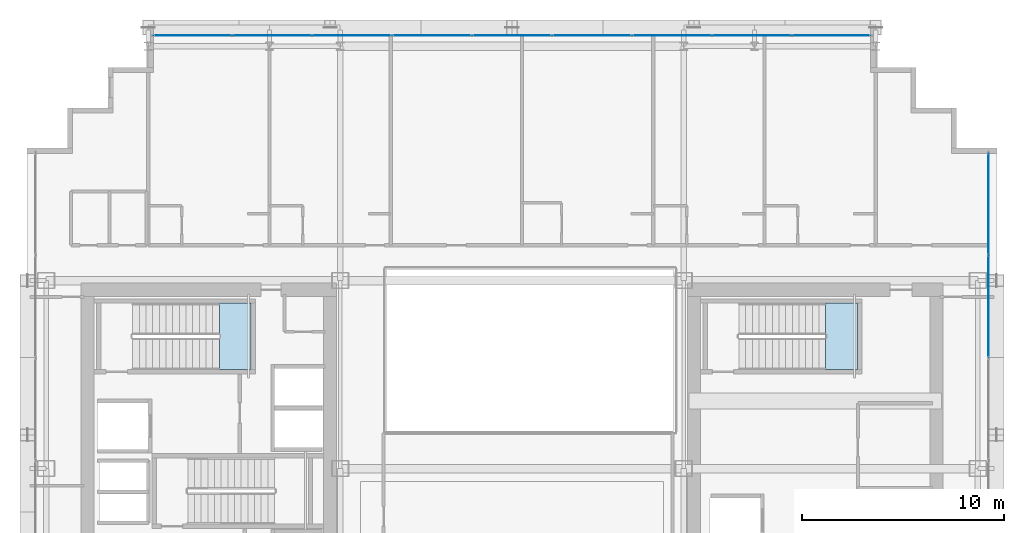
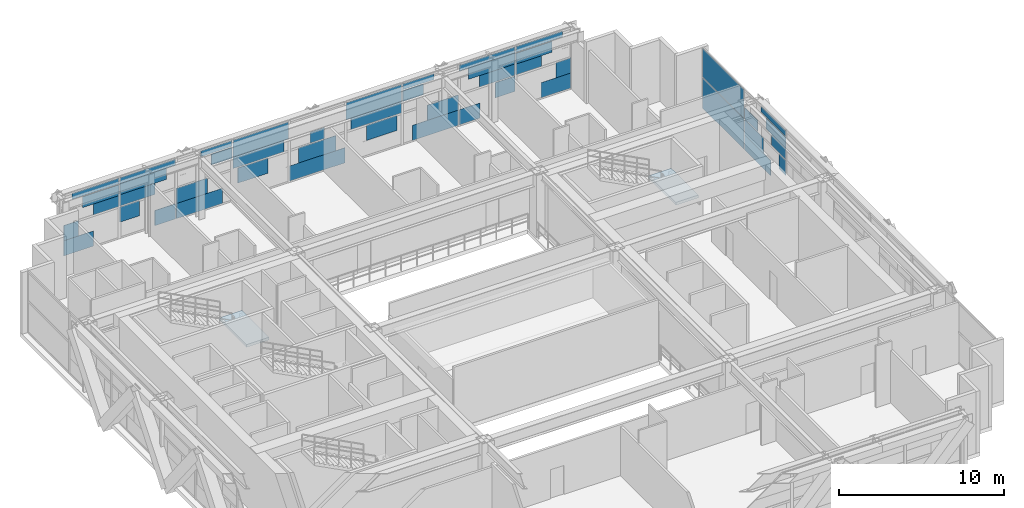
# One storey, part 27 of 38: 46 plates, 2 slabs, 4 elements without a shape of their own.
"""IFC4 building model written with IfcOpenShell, lengths in metres."""

from ifc_helpers import new_model, si_unit, direction, frame, origin, origin_2d, place, context, subcontext, project, spatial, polyline, rectangle, outline, extrude, source, transform, mapped, material, layer, layer_set, type_object, element, aggregate, save


model = new_model("IFC4")

# Units and contexts
model_context = context("Model", 3, precision=1e-05, world=origin(), true_north=direction((0.0, 1.0)))
body_context = subcontext(model_context, "Body", "Model", "MODEL_VIEW")
ifc_project = project(units=[si_unit("LENGTHUNIT", "METRE"), si_unit("AREAUNIT", "SQUARE_METRE"), si_unit("VOLUMEUNIT", "CUBIC_METRE"), si_unit("PLANEANGLEUNIT", "RADIAN"), si_unit("MASSUNIT", "GRAM", prefix="KILO")], contexts=[model_context])

# Site, building, storey
site_placement = place(None, origin())
site = spatial("IfcSite", under=ifc_project, at=site_placement, CompositionType="ELEMENT")
building_placement = place(site_placement, origin())
building = spatial("IfcBuilding", under=site, at=building_placement, Name="Ocotamira Hotel", CompositionType="ELEMENT")
storey_placement = place(building_placement, frame((0.0, 0.0, 92.39990234375)))
storey = spatial("IfcBuildingStorey", under=building, at=storey_placement, Name="L22", CompositionType="ELEMENT", Elevation=92.39990234375)

# Stair, slab
ifc_material_1 = material(Name="Concrete C40/50", Category="concrete")
stair_type = type_object("IfcStairType", Name="ST-CORE-1560", PredefinedType="HALF_TURN_STAIR", material=ifc_material_1)
stair_1_placement = place(storey_placement, origin())
stair_1 = element("IfcStair", 1, at=stair_1_placement, inside=storey, type_object=stair_type, Name="L22 Exit Stair ST-2", PredefinedType="HALF_TURN_STAIR")
ifc_layer_1 = layer(ifc_material_1, 0.199951171875)
ifc_layer_set_1 = layer_set([ifc_layer_1], Name="Concrete C40/50")
slab_type = type_object("IfcSlabType", Name="SLB-LAND-200", PredefinedType="LANDING", material=ifc_layer_set_1)
slab_1_placement = place(storey_placement, frame((0.0, 0.0, 2.2001953125)))
slab_1 = element("IfcSlab", 2, at=slab_1_placement, type_object=slab_type, Name="ST-2 landing 1", PredefinedType="LANDING", context=body_context, shape_type="SweptSolid", body=[
    extrude(outline(polyline([(17.52001953125, 33.050048828125), (19.090087890625, 33.050048828125), (19.090087890625, 36.330078125), (17.52001953125, 36.330078125), (17.52001953125, 33.050048828125)])), origin(), (0.0, 0.0, 1.0), 0.199951171875),
])
aggregate(stair_1, [slab_1])

stair_2_placement = place(storey_placement, origin())
stair_2 = element("IfcStair", 3, at=stair_2_placement, inside=storey, type_object=stair_type, Name="L22 Exit Stair ST-4", PredefinedType="HALF_TURN_STAIR")
slab_2_placement = place(storey_placement, frame((0.0, 0.0, 2.2001953125)))
slab_2 = element("IfcSlab", 4, at=slab_2_placement, type_object=slab_type, Name="ST-4 landing 1", PredefinedType="LANDING", context=body_context, shape_type="SweptSolid", body=[
    extrude(outline(polyline([(47.52001953125, 33.050048828125), (49.090087890625, 33.050048828125), (49.090087890625, 36.330078125), (47.52001953125, 36.330078125), (47.52001953125, 33.050048828125)])), origin(), (0.0, 0.0, 1.0), 0.199951171875),
])
aggregate(stair_2, [slab_2])

# Curtain wall, plate
ifc_material_2 = material(Name="Anodised pale-metal aluminium and solar glass", Category="aluminium")
ifc_layer_2 = layer(ifc_material_2, 0.239990234375)
ifc_layer_set_2 = layer_set([ifc_layer_2], Name="Anodised pale-metal aluminium and solar glass")
curtain_wall_type = type_object("IfcCurtainWallType", Name="CW-SYS5-SKY", PredefinedType="NOTDEFINED", material=ifc_layer_set_2)
curtain_wall_1_placement = place(storey_placement, origin())
curtain_wall_1 = element("IfcCurtainWall", 5, at=curtain_wall_1_placement, inside=storey, type_object=curtain_wall_type, Name="L22 Curtain Wall CW-5 CW-L22-E", PredefinedType="NOTDEFINED")
ifc_material_3 = material(Name="Double-silver low-E insulated solar glass", Category="glass")
ifc_layer_3 = layer(ifc_material_3, 0.031982421875)
ifc_layer_set_3 = layer_set([ifc_layer_3], Name="Double-silver low-E insulated solar glass")
plate_type = type_object("IfcPlateType", Name="CWP-VISION-32", PredefinedType="CURTAIN_PANEL", material=ifc_layer_set_3)
shared_shape_1 = source(origin(), body_context, "Body", "SweptSolid", [
    extrude(rectangle(XDim=4.9658203125, YDim=0.031982421875, at=origin_2d()), origin(), (0.0, 0.0, 1.0), 2.237548828125),
])
plate_1_placement = place(storey_placement, frame((55.580078125, 41.237060546875, 0.0751953125), z_axis=(0.0, 0.0, 1.0), x_axis=(0.0, 1.0, 0.0)))
plate_1 = element("IfcPlate", 6, at=plate_1_placement, type_object=plate_type, Name="CW-5 panel 7.1", PredefinedType="CURTAIN_PANEL", context=body_context, shape_type="MappedRepresentation", body=[
    mapped(shared_shape_1, transform((0.0, 0.0, 0.0), scale=1.0)),
])

# Curtain wall, plates
curtain_wall_2_placement = place(storey_placement, origin())
curtain_wall_2 = element("IfcCurtainWall", 7, at=curtain_wall_2_placement, inside=storey, type_object=curtain_wall_type, Name="L22 Curtain Wall CW-5 CW-L22-N", PredefinedType="NOTDEFINED")
shared_shape_2 = source(origin(), body_context, "Body", "SweptSolid", [
    extrude(rectangle(XDim=2.0712890625, YDim=0.031982421875, at=origin_2d()), origin(), (0.0, 0.0, 1.0), 1.118896484375),
])
plate_2_placement = place(storey_placement, frame((15.315673828125, 49.580078125, 0.0751953125), z_axis=(0.0, 0.0, 1.0), x_axis=(1.0, 0.0, 0.0)))
plate_2 = element("IfcPlate", 8, at=plate_2_placement, type_object=plate_type, Name="CW-5 panel 1.1.1", PredefinedType="CURTAIN_PANEL", context=body_context, shape_type="MappedRepresentation", body=[
    mapped(shared_shape_2, transform((0.0, 0.0, 0.0), scale=1.0)),
])
plate_3_placement = place(storey_placement, frame((48.684326171875, 49.580078125, 0.0751953125), z_axis=(0.0, 0.0, 1.0), x_axis=(1.0, 0.0, 0.0)))
plate_3 = element("IfcPlate", 9, at=plate_3_placement, type_object=plate_type, Name="CW-5 panel 9.1.1", PredefinedType="CURTAIN_PANEL", context=body_context, shape_type="MappedRepresentation", body=[
    mapped(shared_shape_2, transform((0.0, 0.0, 0.0), scale=1.0)),
])
shared_shape_3 = source(origin(), body_context, "Body", "SweptSolid", [
    extrude(rectangle(XDim=1.031005859375, YDim=0.031982421875, at=origin_2d()), origin(), (0.0, 0.0, 1.0), 1.118896484375),
])
plate_4_placement = place(storey_placement, frame((14.79541015625, 49.580078125, 1.19384765625), z_axis=(0.0, 0.0, 1.0), x_axis=(1.0, 0.0, 0.0)))
plate_4 = element("IfcPlate", 10, at=plate_4_placement, type_object=plate_type, Name="CW-5 panel 1.1.2", PredefinedType="CURTAIN_PANEL", context=body_context, shape_type="MappedRepresentation", body=[
    mapped(shared_shape_3, transform((0.0, 0.0, 0.0), scale=1.0)),
])
plate_5_placement = place(storey_placement, frame((49.20458984375, 49.580078125, 1.19384765625), z_axis=(0.0, 0.0, 1.0), x_axis=(1.0, 0.0, 0.0)))
plate_5 = element("IfcPlate", 11, at=plate_5_placement, type_object=plate_type, Name="CW-5 panel 9.1.2", PredefinedType="CURTAIN_PANEL", context=body_context, shape_type="MappedRepresentation", body=[
    mapped(shared_shape_3, transform((0.0, 0.0, 0.0), scale=1.0)),
])
shared_shape_4 = source(origin(), body_context, "Body", "SweptSolid", [
    extrude(rectangle(XDim=3.256591796875, YDim=0.031982421875, at=origin_2d()), origin(), (0.0, 0.0, 1.0), 0.42919921875),
])
plate_6_placement = place(storey_placement, frame((16.4873046875, 49.580078125, 4.055908203125), z_axis=(0.0, 0.0, 1.0), x_axis=(1.0, 0.0, 0.0)))
plate_6 = element("IfcPlate", 12, at=plate_6_placement, type_object=plate_type, Name="CW-5 panel 1.2.1", PredefinedType="CURTAIN_PANEL", context=body_context, shape_type="MappedRepresentation", body=[
    mapped(shared_shape_4, transform((0.0, 0.0, 0.0), scale=1.0)),
])
plate_7_placement = place(storey_placement, frame((47.5126953125, 49.580078125, 4.055908203125), z_axis=(0.0, 0.0, 1.0), x_axis=(1.0, 0.0, 0.0)))
plate_7 = element("IfcPlate", 13, at=plate_7_placement, type_object=plate_type, Name="CW-5 panel 9.2.3", PredefinedType="CURTAIN_PANEL", context=body_context, shape_type="MappedRepresentation", body=[
    mapped(shared_shape_4, transform((0.0, 0.0, 0.0), scale=1.0)),
])
shared_shape_5 = source(origin(), body_context, "Body", "SweptSolid", [
    extrude(rectangle(XDim=2.523193359375, YDim=0.031982421875, at=origin_2d()), origin(), (0.0, 0.0, 1.0), 0.79736328125),
])
plate_8_placement = place(storey_placement, frame((16.85400390625, 49.580078125, 3.184814453125), z_axis=(0.0, 0.0, 1.0), x_axis=(1.0, 0.0, 0.0)))
plate_8 = element("IfcPlate", 14, at=plate_8_placement, type_object=plate_type, Name="CW-5 panel 1.2.2", PredefinedType="CURTAIN_PANEL", context=body_context, shape_type="MappedRepresentation", body=[
    mapped(shared_shape_5, transform((0.0, 0.0, 0.0), scale=1.0)),
])
plate_9_placement = place(storey_placement, frame((47.14599609375, 49.580078125, 3.184814453125), z_axis=(0.0, 0.0, 1.0), x_axis=(1.0, 0.0, 0.0)))
plate_9 = element("IfcPlate", 15, at=plate_9_placement, type_object=plate_type, Name="CW-5 panel 9.2.2", PredefinedType="CURTAIN_PANEL", context=body_context, shape_type="MappedRepresentation", body=[
    mapped(shared_shape_5, transform((0.0, 0.0, 0.0), scale=1.0)),
])
shared_shape_6 = source(origin(), body_context, "Body", "SweptSolid", [
    extrude(rectangle(XDim=1.781982421875, YDim=0.031982421875, at=origin_2d()), origin(), (0.0, 0.0, 1.0), 0.79736328125),
])
plate_10_placement = place(storey_placement, frame((17.224609375, 49.580078125, 2.387451171875), z_axis=(0.0, 0.0, 1.0), x_axis=(1.0, 0.0, 0.0)))
plate_10 = element("IfcPlate", 16, at=plate_10_placement, type_object=plate_type, Name="CW-5 panel 1.2.3", PredefinedType="CURTAIN_PANEL", context=body_context, shape_type="MappedRepresentation", body=[
    mapped(shared_shape_6, transform((0.0, 0.0, 0.0), scale=1.0)),
])
plate_11_placement = place(storey_placement, frame((46.775390625, 49.580078125, 2.387451171875), z_axis=(0.0, 0.0, 1.0), x_axis=(1.0, 0.0, 0.0)))
plate_11 = element("IfcPlate", 17, at=plate_11_placement, type_object=plate_type, Name="CW-5 panel 9.2.1", PredefinedType="CURTAIN_PANEL", context=body_context, shape_type="MappedRepresentation", body=[
    mapped(shared_shape_6, transform((0.0, 0.0, 0.0), scale=1.0)),
])
shared_shape_7 = source(origin(), body_context, "Body", "SweptSolid", [
    extrude(rectangle(XDim=1.36083984375, YDim=0.031982421875, at=origin_2d()), origin(), (0.0, 0.0, 1.0), 1.118896484375),
])
plate_12_placement = place(storey_placement, frame((18.8759765625, 49.580078125, 1.19384765625), z_axis=(0.0, 0.0, 1.0), x_axis=(1.0, 0.0, 0.0)))
plate_12 = element("IfcPlate", 18, at=plate_12_placement, type_object=plate_type, Name="CW-5 panel 2.1.1", PredefinedType="CURTAIN_PANEL", context=body_context, shape_type="MappedRepresentation", body=[
    mapped(shared_shape_7, transform((0.0, 0.0, 0.0), scale=1.0)),
])
plate_13_placement = place(storey_placement, frame((45.1240234375, 49.580078125, 1.19384765625), z_axis=(0.0, 0.0, 1.0), x_axis=(1.0, 0.0, 0.0)))
plate_13 = element("IfcPlate", 19, at=plate_13_placement, type_object=plate_type, Name="CW-5 panel 8.1.2", PredefinedType="CURTAIN_PANEL", context=body_context, shape_type="MappedRepresentation", body=[
    mapped(shared_shape_7, transform((0.0, 0.0, 0.0), scale=1.0)),
])
shared_shape_8 = source(origin(), body_context, "Body", "SweptSolid", [
    extrude(rectangle(XDim=1.42236328125, YDim=0.031982421875, at=origin_2d()), origin(), (0.0, 0.0, 1.0), 1.118896484375),
])
plate_14_placement = place(storey_placement, frame((21.360107421875, 49.580078125, 0.0751953125), z_axis=(0.0, 0.0, 1.0), x_axis=(1.0, 0.0, 0.0)))
plate_14 = element("IfcPlate", 20, at=plate_14_placement, type_object=plate_type, Name="CW-5 panel 2.1.2", PredefinedType="CURTAIN_PANEL", context=body_context, shape_type="MappedRepresentation", body=[
    mapped(shared_shape_8, transform((0.0, 0.0, 0.0), scale=1.0)),
])
plate_15_placement = place(storey_placement, frame((42.639892578125, 49.580078125, 0.0751953125), z_axis=(0.0, 0.0, 1.0), x_axis=(1.0, 0.0, 0.0)))
plate_15 = element("IfcPlate", 21, at=plate_15_placement, type_object=plate_type, Name="CW-5 panel 8.1.1", PredefinedType="CURTAIN_PANEL", context=body_context, shape_type="MappedRepresentation", body=[
    mapped(shared_shape_8, transform((0.0, 0.0, 0.0), scale=1.0)),
])
shared_shape_9 = source(origin(), body_context, "Body", "SweptSolid", [
    extrude(rectangle(XDim=2.470703125, YDim=0.031982421875, at=origin_2d()), origin(), (0.0, 0.0, 1.0), 0.834228515625),
])
plate_16_placement = place(storey_placement, frame((19.430908203125, 49.580078125, 2.3876953125), z_axis=(0.0, 0.0, 1.0), x_axis=(1.0, 0.0, 0.0)))
plate_16 = element("IfcPlate", 22, at=plate_16_placement, type_object=plate_type, Name="CW-5 panel 2.2.1", PredefinedType="CURTAIN_PANEL", context=body_context, shape_type="MappedRepresentation", body=[
    mapped(shared_shape_9, transform((0.0, 0.0, 0.0), scale=1.0)),
])
plate_17_placement = place(storey_placement, frame((44.569091796875, 49.580078125, 2.3876953125), z_axis=(0.0, 0.0, 1.0), x_axis=(1.0, 0.0, 0.0)))
plate_17 = element("IfcPlate", 23, at=plate_17_placement, type_object=plate_type, Name="CW-5 panel 8.2.3", PredefinedType="CURTAIN_PANEL", context=body_context, shape_type="MappedRepresentation", body=[
    mapped(shared_shape_9, transform((0.0, 0.0, 0.0), scale=1.0)),
])
shared_shape_10 = source(origin(), body_context, "Body", "SweptSolid", [
    extrude(rectangle(XDim=3.246337890625, YDim=0.031982421875, at=origin_2d()), origin(), (0.0, 0.0, 1.0), 0.834228515625),
])
plate_18_placement = place(storey_placement, frame((19.81884765625, 49.580078125, 3.2216796875), z_axis=(0.0, 0.0, 1.0), x_axis=(1.0, 0.0, 0.0)))
plate_18 = element("IfcPlate", 24, at=plate_18_placement, type_object=plate_type, Name="CW-5 panel 2.2.2", PredefinedType="CURTAIN_PANEL", context=body_context, shape_type="MappedRepresentation", body=[
    mapped(shared_shape_10, transform((0.0, 0.0, 0.0), scale=1.0)),
])
plate_19_placement = place(storey_placement, frame((44.18115234375, 49.580078125, 3.2216796875), z_axis=(0.0, 0.0, 1.0), x_axis=(1.0, 0.0, 0.0)))
plate_19 = element("IfcPlate", 25, at=plate_19_placement, type_object=plate_type, Name="CW-5 panel 8.2.2", PredefinedType="CURTAIN_PANEL", context=body_context, shape_type="MappedRepresentation", body=[
    mapped(shared_shape_10, transform((0.0, 0.0, 0.0), scale=1.0)),
])
shared_shape_11 = source(origin(), body_context, "Body", "SweptSolid", [
    extrude(rectangle(XDim=3.87548828125, YDim=0.031982421875, at=origin_2d()), origin(), (0.0, 0.0, 1.0), 0.42919921875),
])
plate_20_placement = place(storey_placement, frame((20.13330078125, 49.580078125, 4.055908203125), z_axis=(0.0, 0.0, 1.0), x_axis=(1.0, 0.0, 0.0)))
plate_20 = element("IfcPlate", 26, at=plate_20_placement, type_object=plate_type, Name="CW-5 panel 2.2.3", PredefinedType="CURTAIN_PANEL", context=body_context, shape_type="MappedRepresentation", body=[
    mapped(shared_shape_11, transform((0.0, 0.0, 0.0), scale=1.0)),
])
plate_21_placement = place(storey_placement, frame((43.86669921875, 49.580078125, 4.055908203125), z_axis=(0.0, 0.0, 1.0), x_axis=(1.0, 0.0, 0.0)))
plate_21 = element("IfcPlate", 27, at=plate_21_placement, type_object=plate_type, Name="CW-5 panel 8.2.1", PredefinedType="CURTAIN_PANEL", context=body_context, shape_type="MappedRepresentation", body=[
    mapped(shared_shape_11, transform((0.0, 0.0, 0.0), scale=1.0)),
])
shared_shape_12 = source(origin(), body_context, "Body", "SweptSolid", [
    extrude(rectangle(XDim=3.2001953125, YDim=0.031982421875, at=origin_2d()), origin(), (0.0, 0.0, 1.0), 1.118896484375),
])
plate_22_placement = place(storey_placement, frame((23.751220703125, 49.580078125, 0.0751953125), z_axis=(0.0, 0.0, 1.0), x_axis=(1.0, 0.0, 0.0)))
plate_22 = element("IfcPlate", 28, at=plate_22_placement, type_object=plate_type, Name="CW-5 panel 3.1.1", PredefinedType="CURTAIN_PANEL", context=body_context, shape_type="MappedRepresentation", body=[
    mapped(shared_shape_12, transform((0.0, 0.0, 0.0), scale=1.0)),
])
plate_23_placement = place(storey_placement, frame((40.248779296875, 49.580078125, 0.0751953125), z_axis=(0.0, 0.0, 1.0), x_axis=(1.0, 0.0, 0.0)))
plate_23 = element("IfcPlate", 29, at=plate_23_placement, type_object=plate_type, Name="CW-5 panel 7.1.1", PredefinedType="CURTAIN_PANEL", context=body_context, shape_type="MappedRepresentation", body=[
    mapped(shared_shape_12, transform((0.0, 0.0, 0.0), scale=1.0)),
])
shared_shape_13 = source(origin(), body_context, "Body", "SweptSolid", [
    extrude(rectangle(XDim=2.159912109375, YDim=0.031982421875, at=origin_2d()), origin(), (0.0, 0.0, 1.0), 1.118896484375),
])
plate_24_placement = place(storey_placement, frame((23.231201171875, 49.580078125, 1.19384765625), z_axis=(0.0, 0.0, 1.0), x_axis=(1.0, 0.0, 0.0)))
plate_24 = element("IfcPlate", 30, at=plate_24_placement, type_object=plate_type, Name="CW-5 panel 3.1.2", PredefinedType="CURTAIN_PANEL", context=body_context, shape_type="MappedRepresentation", body=[
    mapped(shared_shape_13, transform((0.0, 0.0, 0.0), scale=1.0)),
])
plate_25_placement = place(storey_placement, frame((40.768798828125, 49.580078125, 1.19384765625), z_axis=(0.0, 0.0, 1.0), x_axis=(1.0, 0.0, 0.0)))
plate_25 = element("IfcPlate", 31, at=plate_25_placement, type_object=plate_type, Name="CW-5 panel 7.1.2", PredefinedType="CURTAIN_PANEL", context=body_context, shape_type="MappedRepresentation", body=[
    mapped(shared_shape_13, transform((0.0, 0.0, 0.0), scale=1.0)),
])
shared_shape_14 = source(origin(), body_context, "Body", "SweptSolid", [
    extrude(rectangle(XDim=2.16748046875, YDim=0.031982421875, at=origin_2d()), origin(), (0.0, 0.0, 1.0), 0.42919921875),
])
plate_26_placement = place(storey_placement, frame((24.94287109375, 49.580078125, 4.055908203125), z_axis=(0.0, 0.0, 1.0), x_axis=(1.0, 0.0, 0.0)))
plate_26 = element("IfcPlate", 32, at=plate_26_placement, type_object=plate_type, Name="CW-5 panel 3.2.1", PredefinedType="CURTAIN_PANEL", context=body_context, shape_type="MappedRepresentation", body=[
    mapped(shared_shape_14, transform((0.0, 0.0, 0.0), scale=1.0)),
])
plate_27_placement = place(storey_placement, frame((39.05712890625, 49.580078125, 4.055908203125), z_axis=(0.0, 0.0, 1.0), x_axis=(1.0, 0.0, 0.0)))
plate_27 = element("IfcPlate", 33, at=plate_27_placement, type_object=plate_type, Name="CW-5 panel 7.2.2", PredefinedType="CURTAIN_PANEL", context=body_context, shape_type="MappedRepresentation", body=[
    mapped(shared_shape_14, transform((0.0, 0.0, 0.0), scale=1.0)),
])
shared_shape_15 = source(origin(), body_context, "Body", "SweptSolid", [
    extrude(rectangle(XDim=1.434326171875, YDim=0.031982421875, at=origin_2d()), origin(), (0.0, 0.0, 1.0), 0.79736328125),
])
plate_28_placement = place(storey_placement, frame((25.3095703125, 49.580078125, 3.184814453125), z_axis=(0.0, 0.0, 1.0), x_axis=(1.0, 0.0, 0.0)))
plate_28 = element("IfcPlate", 34, at=plate_28_placement, type_object=plate_type, Name="CW-5 panel 3.2.2", PredefinedType="CURTAIN_PANEL", context=body_context, shape_type="MappedRepresentation", body=[
    mapped(shared_shape_15, transform((0.0, 0.0, 0.0), scale=1.0)),
])
plate_29_placement = place(storey_placement, frame((38.6904296875, 49.580078125, 3.184814453125), z_axis=(0.0, 0.0, 1.0), x_axis=(1.0, 0.0, 0.0)))
plate_29 = element("IfcPlate", 35, at=plate_29_placement, type_object=plate_type, Name="CW-5 panel 7.2.1", PredefinedType="CURTAIN_PANEL", context=body_context, shape_type="MappedRepresentation", body=[
    mapped(shared_shape_15, transform((0.0, 0.0, 0.0), scale=1.0)),
])
shared_shape_16 = source(origin(), body_context, "Body", "SweptSolid", [
    extrude(rectangle(XDim=2.113037109375, YDim=0.031982421875, at=origin_2d()), origin(), (0.0, 0.0, 1.0), 1.118896484375),
])
plate_30_placement = place(storey_placement, frame((27.5, 49.580078125, 1.19384765625), z_axis=(0.0, 0.0, 1.0), x_axis=(1.0, 0.0, 0.0)))
plate_30 = element("IfcPlate", 36, at=plate_30_placement, type_object=plate_type, Name="CW-5 panel 4.1.1", PredefinedType="CURTAIN_PANEL", context=body_context, shape_type="MappedRepresentation", body=[
    mapped(shared_shape_16, transform((0.0, 0.0, 0.0), scale=1.0)),
])
plate_31_placement = place(storey_placement, frame((36.5, 49.580078125, 1.19384765625), z_axis=(0.0, 0.0, 1.0), x_axis=(1.0, 0.0, 0.0)))
plate_31 = element("IfcPlate", 37, at=plate_31_placement, type_object=plate_type, Name="CW-5 panel 6.1.1", PredefinedType="CURTAIN_PANEL", context=body_context, shape_type="MappedRepresentation", body=[
    mapped(shared_shape_16, transform((0.0, 0.0, 0.0), scale=1.0)),
])
shared_shape_17 = source(origin(), body_context, "Body", "SweptSolid", [
    extrude(rectangle(XDim=3.559814453125, YDim=0.031982421875, at=origin_2d()), origin(), (0.0, 0.0, 1.0), 0.834228515625),
])
plate_32_placement = place(storey_placement, frame((27.886474609375, 49.580078125, 2.3876953125), z_axis=(0.0, 0.0, 1.0), x_axis=(1.0, 0.0, 0.0)))
plate_32 = element("IfcPlate", 38, at=plate_32_placement, type_object=plate_type, Name="CW-5 panel 4.2.1", PredefinedType="CURTAIN_PANEL", context=body_context, shape_type="MappedRepresentation", body=[
    mapped(shared_shape_17, transform((0.0, 0.0, 0.0), scale=1.0)),
])
plate_33_placement = place(storey_placement, frame((36.113525390625, 49.580078125, 2.3876953125), z_axis=(0.0, 0.0, 1.0), x_axis=(1.0, 0.0, 0.0)))
plate_33 = element("IfcPlate", 39, at=plate_33_placement, type_object=plate_type, Name="CW-5 panel 6.2.2", PredefinedType="CURTAIN_PANEL", context=body_context, shape_type="MappedRepresentation", body=[
    mapped(shared_shape_17, transform((0.0, 0.0, 0.0), scale=1.0)),
])
shared_shape_18 = source(origin(), body_context, "Body", "SweptSolid", [
    extrude(rectangle(XDim=3.87548828125, YDim=0.031982421875, at=origin_2d()), origin(), (0.0, 0.0, 1.0), 1.26318359375),
])
plate_34_placement = place(storey_placement, frame((28.04443359375, 49.580078125, 3.221923828125), z_axis=(0.0, 0.0, 1.0), x_axis=(1.0, 0.0, 0.0)))
plate_34 = element("IfcPlate", 40, at=plate_34_placement, type_object=plate_type, Name="CW-5 panel 4.2.2", PredefinedType="CURTAIN_PANEL", context=body_context, shape_type="MappedRepresentation", body=[
    mapped(shared_shape_18, transform((0.0, 0.0, 0.0), scale=1.0)),
])
plate_35_placement = place(storey_placement, frame((35.95556640625, 49.580078125, 3.221923828125), z_axis=(0.0, 0.0, 1.0), x_axis=(1.0, 0.0, 0.0)))
plate_35 = element("IfcPlate", 41, at=plate_35_placement, type_object=plate_type, Name="CW-5 panel 6.2.1", PredefinedType="CURTAIN_PANEL", context=body_context, shape_type="MappedRepresentation", body=[
    mapped(shared_shape_18, transform((0.0, 0.0, 0.0), scale=1.0)),
])
shared_shape_19 = source(origin(), body_context, "Body", "SweptSolid", [
    extrude(rectangle(XDim=3.87548828125, YDim=0.031982421875, at=origin_2d()), origin(), (0.0, 0.0, 1.0), 1.118896484375),
])
plate_36_placement = place(storey_placement, frame((32.0, 49.580078125, 0.0751953125), z_axis=(0.0, 0.0, 1.0), x_axis=(1.0, 0.0, 0.0)))
plate_36 = element("IfcPlate", 42, at=plate_36_placement, type_object=plate_type, Name="CW-5 panel 5.1.1", PredefinedType="CURTAIN_PANEL", context=body_context, shape_type="MappedRepresentation", body=[
    mapped(shared_shape_19, transform((0.0, 0.0, 0.0), scale=1.0)),
])
shared_shape_20 = source(origin(), body_context, "Body", "SweptSolid", [
    extrude(rectangle(XDim=2.6220703125, YDim=0.031982421875, at=origin_2d()), origin(), (0.0, 0.0, 1.0), 1.118896484375),
])
plate_37_placement = place(storey_placement, frame((32.0, 49.580078125, 1.19384765625), z_axis=(0.0, 0.0, 1.0), x_axis=(1.0, 0.0, 0.0)))
plate_37 = element("IfcPlate", 43, at=plate_37_placement, type_object=plate_type, Name="CW-5 panel 5.1.2", PredefinedType="CURTAIN_PANEL", context=body_context, shape_type="MappedRepresentation", body=[
    mapped(shared_shape_20, transform((0.0, 0.0, 0.0), scale=1.0)),
])
shared_shape_21 = source(origin(), body_context, "Body", "SweptSolid", [
    extrude(rectangle(XDim=1.0, YDim=0.031982421875, at=origin_2d()), origin(), (0.0, 0.0, 1.0), 0.79736328125),
])
plate_38_placement = place(storey_placement, frame((32.0, 49.580078125, 2.387451171875), z_axis=(0.0, 0.0, 1.0), x_axis=(1.0, 0.0, 0.0)))
plate_38 = element("IfcPlate", 44, at=plate_38_placement, type_object=plate_type, Name="CW-5 panel 5.2.1", PredefinedType="CURTAIN_PANEL", context=body_context, shape_type="MappedRepresentation", body=[
    mapped(shared_shape_21, transform((0.0, 0.0, 0.0), scale=1.0)),
])
aggregate(curtain_wall_2, [plate_2, plate_4, plate_6, plate_8, plate_10, plate_12, plate_14, plate_16, plate_18, plate_20, plate_22, plate_24, plate_26, plate_28, plate_30, plate_32, plate_34, plate_36, plate_37, plate_38, plate_31, plate_35, plate_33, plate_23, plate_25, plate_29, plate_27, plate_15, plate_13, plate_21, plate_19, plate_17, plate_3, plate_5, plate_11, plate_9, plate_7])

# Plate
shared_shape_22 = source(origin(), body_context, "Body", "SweptSolid", [
    extrude(rectangle(XDim=4.9658203125, YDim=0.031982421875, at=origin_2d()), origin(), (0.0, 0.0, 1.0), 2.097412109375),
])
plate_39_placement = place(storey_placement, frame((55.580078125, 41.237060546875, 2.3876953125), z_axis=(0.0, 0.0, 1.0), x_axis=(0.0, 1.0, 0.0)))
plate_39 = element("IfcPlate", 45, at=plate_39_placement, type_object=plate_type, Name="CW-5 panel 7.2", PredefinedType="CURTAIN_PANEL", context=body_context, shape_type="MappedRepresentation", body=[
    mapped(shared_shape_22, transform((0.0, 0.0, 0.0), scale=1.0)),
])

shared_shape_23 = source(origin(), body_context, "Body", "SweptSolid", [
    extrude(rectangle(XDim=3.172119140625, YDim=0.031982421875, at=origin_2d()), origin(), (0.0, 0.0, 1.0), 1.118896484375),
])
plate_40_placement = place(storey_placement, frame((55.580078125, 37.088134765625, 0.0751953125), z_axis=(0.0, 0.0, 1.0), x_axis=(0.0, 1.0, 0.0)))
plate_40 = element("IfcPlate", 46, at=plate_40_placement, type_object=plate_type, Name="CW-5 panel 6.1.2", PredefinedType="CURTAIN_PANEL", context=body_context, shape_type="MappedRepresentation", body=[
    mapped(shared_shape_23, transform((0.0, 0.0, 0.0), scale=1.0)),
])

shared_shape_24 = source(origin(), body_context, "Body", "SweptSolid", [
    extrude(rectangle(XDim=2.2900390625, YDim=0.031982421875, at=origin_2d()), origin(), (0.0, 0.0, 1.0), 1.118896484375),
])
plate_41_placement = place(storey_placement, frame((55.580078125, 37.529296875, 1.19384765625), z_axis=(0.0, 0.0, 1.0), x_axis=(0.0, 1.0, 0.0)))
plate_41 = element("IfcPlate", 47, at=plate_41_placement, type_object=plate_type, Name="CW-5 panel 6.1.3", PredefinedType="CURTAIN_PANEL", context=body_context, shape_type="MappedRepresentation", body=[
    mapped(shared_shape_24, transform((0.0, 0.0, 0.0), scale=1.0)),
])

shared_shape_25 = source(origin(), body_context, "Body", "SweptSolid", [
    extrude(rectangle(XDim=0.814697265625, YDim=0.031982421875, at=origin_2d()), origin(), (0.0, 0.0, 1.0), 1.118896484375),
])
plate_42_placement = place(storey_placement, frame((55.580078125, 34.075927734375, 1.19384765625), z_axis=(0.0, 0.0, 1.0), x_axis=(0.0, 1.0, 0.0)))
plate_42 = element("IfcPlate", 48, at=plate_42_placement, type_object=plate_type, Name="CW-5 panel 6.1.1", PredefinedType="CURTAIN_PANEL", context=body_context, shape_type="MappedRepresentation", body=[
    mapped(shared_shape_25, transform((0.0, 0.0, 0.0), scale=1.0)),
])

shared_shape_26 = source(origin(), body_context, "Body", "SweptSolid", [
    extrude(rectangle(XDim=1.594482421875, YDim=0.031982421875, at=origin_2d()), origin(), (0.0, 0.0, 1.0), 0.80712890625),
])
plate_43_placement = place(storey_placement, frame((55.580078125, 37.877197265625, 2.3876953125), z_axis=(0.0, 0.0, 1.0), x_axis=(0.0, 1.0, 0.0)))
plate_43 = element("IfcPlate", 49, at=plate_43_placement, type_object=plate_type, Name="CW-5 panel 6.2.4", PredefinedType="CURTAIN_PANEL", context=body_context, shape_type="MappedRepresentation", body=[
    mapped(shared_shape_26, transform((0.0, 0.0, 0.0), scale=1.0)),
])

shared_shape_27 = source(origin(), body_context, "Body", "SweptSolid", [
    extrude(rectangle(XDim=3.012939453125, YDim=0.031982421875, at=origin_2d()), origin(), (0.0, 0.0, 1.0), 0.403076171875),
])
plate_44_placement = place(storey_placement, frame((55.580078125, 35.175048828125, 4.08203125), z_axis=(0.0, 0.0, 1.0), x_axis=(0.0, 1.0, 0.0)))
plate_44 = element("IfcPlate", 50, at=plate_44_placement, type_object=plate_type, Name="CW-5 panel 6.2.3", PredefinedType="CURTAIN_PANEL", context=body_context, shape_type="MappedRepresentation", body=[
    mapped(shared_shape_27, transform((0.0, 0.0, 0.0), scale=1.0)),
])

shared_shape_28 = source(origin(), body_context, "Body", "SweptSolid", [
    extrude(rectangle(XDim=2.392578125, YDim=0.031982421875, at=origin_2d()), origin(), (0.0, 0.0, 1.0), 0.80712890625),
])
plate_45_placement = place(storey_placement, frame((55.580078125, 34.86474609375, 3.19482421875), z_axis=(0.0, 0.0, 1.0), x_axis=(0.0, 1.0, 0.0)))
plate_45 = element("IfcPlate", 51, at=plate_45_placement, type_object=plate_type, Name="CW-5 panel 6.2.2", PredefinedType="CURTAIN_PANEL", context=body_context, shape_type="MappedRepresentation", body=[
    mapped(shared_shape_28, transform((0.0, 0.0, 0.0), scale=1.0)),
])

shared_shape_29 = source(origin(), body_context, "Body", "SweptSolid", [
    extrude(rectangle(XDim=1.756103515625, YDim=0.031982421875, at=origin_2d()), origin(), (0.0, 0.0, 1.0), 0.80712890625),
])
plate_46_placement = place(storey_placement, frame((55.580078125, 34.546630859375, 2.3876953125), z_axis=(0.0, 0.0, 1.0), x_axis=(0.0, 1.0, 0.0)))
plate_46 = element("IfcPlate", 52, at=plate_46_placement, type_object=plate_type, Name="CW-5 panel 6.2.1", PredefinedType="CURTAIN_PANEL", context=body_context, shape_type="MappedRepresentation", body=[
    mapped(shared_shape_29, transform((0.0, 0.0, 0.0), scale=1.0)),
])

aggregate(curtain_wall_1, [plate_42, plate_40, plate_41, plate_46, plate_45, plate_44, plate_43, plate_1, plate_39])

save(model, "model.ifc")
